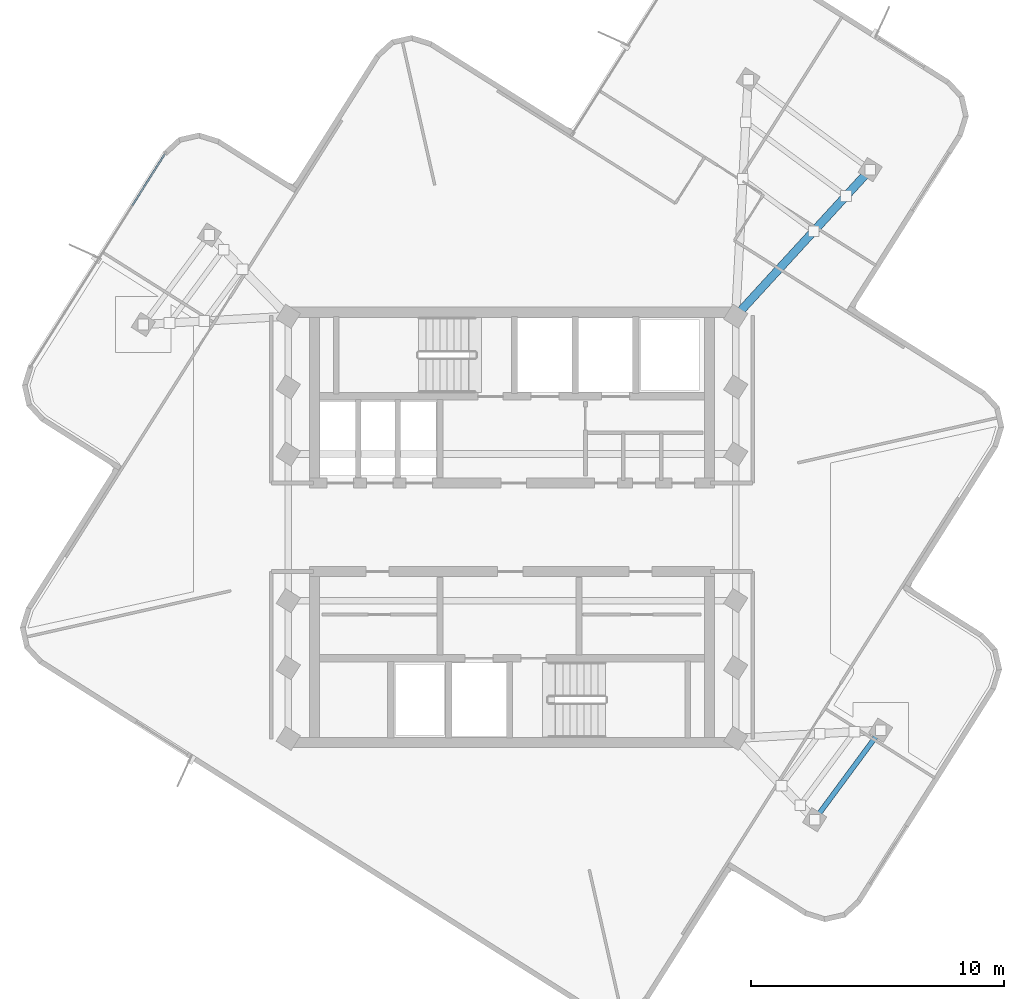
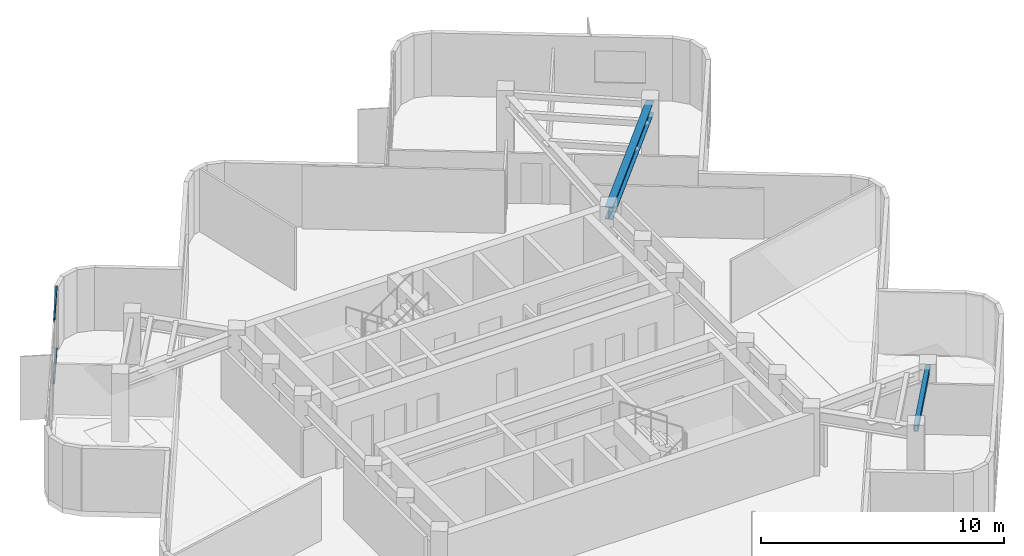
# One storey, part 3 of 10: 2 beams, 2 members, 1 element without a shape of its own.
"""IFC4 building model written with IfcOpenShell, lengths in metres."""

from ifc_helpers import new_model, si_unit, direction, frame, origin, origin_2d, place, context, subcontext, project, spatial, rectangle, hollow_rectangle, i_section, extrude, material, layer, layer_set, material_profile, profile_set, type_object, element, aggregate, save


model = new_model("IFC4")

# Units and contexts
model_context = context("Model", 3, precision=1e-05, world=origin(), true_north=direction((0.0, 1.0)))
body_context = subcontext(model_context, "Body", "Model", "MODEL_VIEW")
ifc_project = project(units=[si_unit("LENGTHUNIT", "METRE"), si_unit("AREAUNIT", "SQUARE_METRE"), si_unit("VOLUMEUNIT", "CUBIC_METRE"), si_unit("PLANEANGLEUNIT", "RADIAN"), si_unit("MASSUNIT", "GRAM", prefix="KILO")], contexts=[model_context])

# Site, building, storey
site_placement = place(None, origin())
site = spatial("IfcSite", under=ifc_project, at=site_placement, CompositionType="ELEMENT")
building_placement = place(site_placement, origin())
building = spatial("IfcBuilding", under=site, at=building_placement, Name="Solmarez Civic Tower", CompositionType="ELEMENT")
storey_placement = place(building_placement, frame((0.0, 0.0, 274.860107421875)))
storey = spatial("IfcBuildingStorey", under=building, at=storey_placement, Name="L74", CompositionType="ELEMENT", Elevation=274.860107421875)

# Beams
ifc_material_1 = material(Name="Steel S355", Category="steel")
ifc_material_profile_1 = material_profile(ifc_material_1, hollow_rectangle(XDim=0.199951171875, YDim=0.300048828125, WallThickness=0.011962890625, at=origin_2d()), Name="HSS300X200X12")
ifc_profile_set_1 = profile_set([ifc_material_profile_1], Name="Steel S355")
beam_type_1 = type_object("IfcBeamType", Name="BM-JS-HSS300X200", PredefinedType="JOIST", material=ifc_profile_set_1)
beam_1_placement = place(storey_placement, frame((11.970947265625, -11.56591796875, 3.010009765625), z_axis=(0.593730834471, 0.804663716219, 0.0), x_axis=(-0.804663716219, 0.593730834471, 0.0)))
element("IfcBeam", 1, at=beam_1_placement, inside=storey, type_object=beam_type_1, Name="L74 Secondary Floor Joist BM-L74-SA-T1", PredefinedType="JOIST", context=body_context, shape_type="SweptSolid", body=[
    extrude(hollow_rectangle(XDim=0.199951171875, YDim=0.300048828125, WallThickness=0.011962890625, at=origin_2d()), origin(), (0.0, 0.0, 1.0), 4.3994140625),
])
ifc_material_profile_2 = material_profile(ifc_material_1, i_section(OverallWidth=0.327880859375, OverallDepth=0.6220703125, WebThickness=0.015380859375, FlangeThickness=0.0244140625, at=origin_2d()), Name="W24X131")
ifc_profile_set_2 = profile_set([ifc_material_profile_2], Name="Steel S355")
beam_type_2 = type_object("IfcBeamType", Name="BM-PR-W24X131", PredefinedType="BEAM", material=ifc_profile_set_2)
beam_2_placement = place(storey_placement, frame((8.85009765625, 8.35009765625, 2.848876953125), z_axis=(0.67574850583, 0.737132251953, 0.0), x_axis=(-0.737132251953, 0.67574850583, 0.0)))
element("IfcBeam", 2, at=beam_2_placement, inside=storey, type_object=beam_type_2, Name="L74 Primary Floor Beam BM-L74-EA-R1A", PredefinedType="BEAM", context=body_context, shape_type="SweptSolid", body=[
    extrude(i_section(OverallWidth=0.327880859375, OverallDepth=0.6220703125, WebThickness=0.015380859375, FlangeThickness=0.0244140625, at=origin_2d()), origin(), (0.0, 0.0, 1.0), 7.87109375),
])

# Curtain wall, members
ifc_material_2 = material(Name="Bronze Anodised Aluminium EN AW-6063 T6", Category="aluminium")
ifc_layer = layer(ifc_material_2, 0.1650390625)
ifc_layer_set = layer_set([ifc_layer], Name="Bronze Anodised Aluminium EN AW-6063 T6")
curtain_wall_type = type_object("IfcCurtainWallType", Name="CW-SYS-4", PredefinedType="NOTDEFINED", material=ifc_layer_set)
curtain_wall_placement = place(storey_placement, origin())
curtain_wall = element("IfcCurtainWall", 3, at=curtain_wall_placement, inside=storey, type_object=curtain_wall_type, Name="L74 Stick-Built Curtain Wall 1", PredefinedType="NOTDEFINED")
ifc_material_profile_3 = material_profile(ifc_material_2, rectangle(XDim=0.070068359375, YDim=0.139892578125, at=origin_2d()), Name="CWT-70X140")
ifc_profile_set_3 = profile_set([ifc_material_profile_3], Name="Bronze Anodised Aluminium EN AW-6063 T6")
member_type = type_object("IfcMemberType", Name="CWT-TYPE-1", PredefinedType="USERDEFINED", material=ifc_profile_set_3)
member_1_placement = place(storey_placement, frame((-15.025146484375, 12.726806640625, 0.034912109375), z_axis=(0.534008200535, 0.845479297062, 0.0), x_axis=(-0.845479297062, 0.534008200535, 0.0)))
member_1 = element("IfcMember", 4, at=member_1_placement, type_object=member_type, Name="CWS4 transom 4.1", ObjectType="TRANSOM", PredefinedType="USERDEFINED", context=body_context, shape_type="SweptSolid", body=[
    extrude(rectangle(XDim=0.070068359375, YDim=0.139892578125, at=origin_2d()), origin(), (0.0, 0.0, 1.0), 2.415771484375),
])
member_2_placement = place(storey_placement, frame((-15.025146484375, 12.726806640625, 3.125), z_axis=(0.534008200535, 0.845479297062, 0.0), x_axis=(-0.845479297062, 0.534008200535, 0.0)))
member_2 = element("IfcMember", 5, at=member_2_placement, type_object=member_type, Name="CWS4 transom 4.2", ObjectType="TRANSOM", PredefinedType="USERDEFINED", context=body_context, shape_type="SweptSolid", body=[
    extrude(rectangle(XDim=0.070068359375, YDim=0.139892578125, at=origin_2d()), origin(), (0.0, 0.0, 1.0), 2.415771484375),
])
aggregate(curtain_wall, [member_1, member_2])

save(model, "model.ifc")
